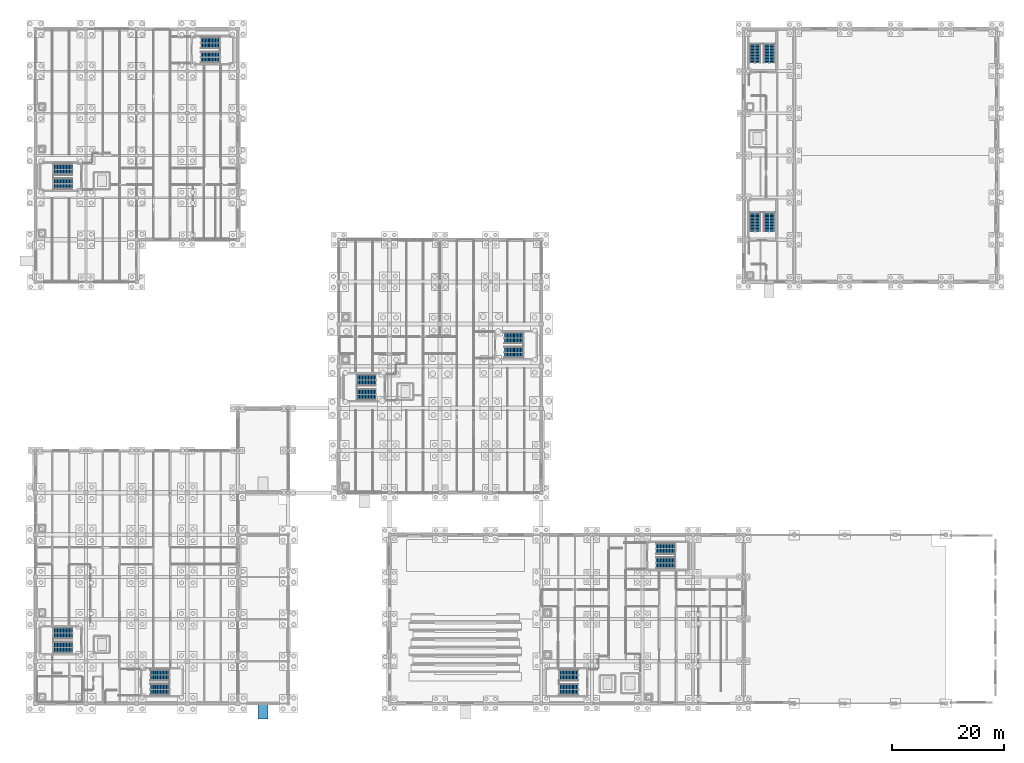
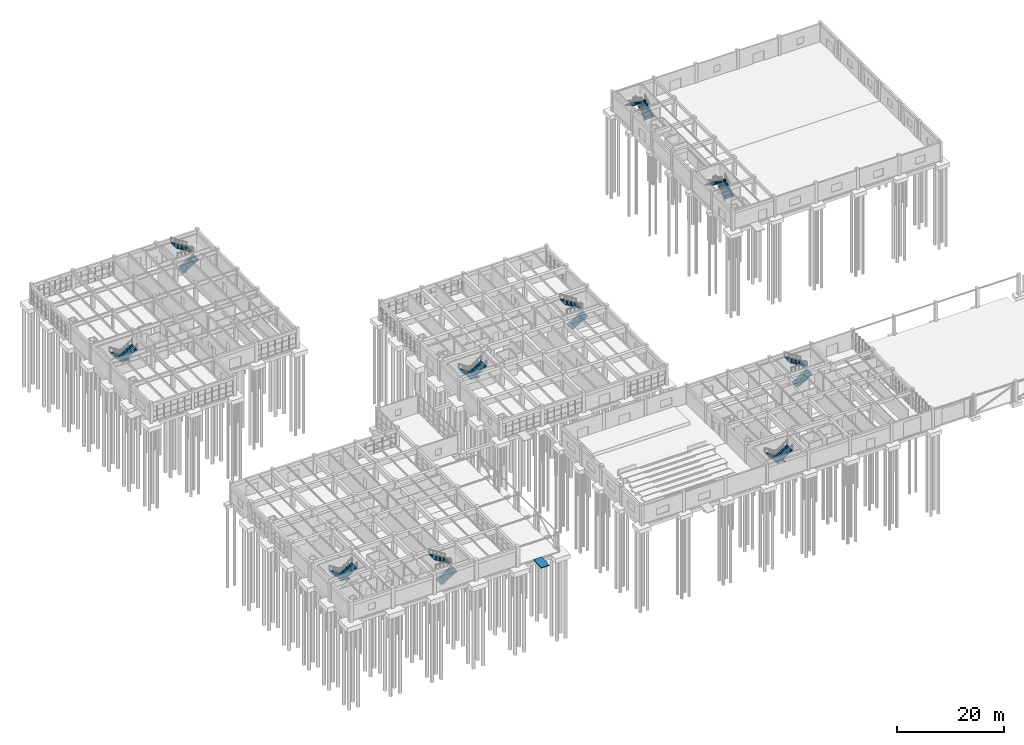
# One storey, part 89 of 93: 20 stair flights, 1 ramp flight, 11 elements without a shape of their own.
"""IFC4 building model written with IfcOpenShell, lengths in metres."""

from ifc_helpers import new_model, si_unit, direction, frame, origin, place, context, subcontext, project, spatial, polyline, outline, extrude, material, layer, layer_set, type_object, element, aggregate, save


model = new_model("IFC4")

# Units and contexts
model_context = context("Model", 3, precision=1e-05, world=origin(), true_north=direction((0.0, 1.0)))
body_context = subcontext(model_context, "Body", "Model", "MODEL_VIEW")
ifc_project = project(units=[si_unit("LENGTHUNIT", "METRE"), si_unit("AREAUNIT", "SQUARE_METRE"), si_unit("VOLUMEUNIT", "CUBIC_METRE"), si_unit("PLANEANGLEUNIT", "RADIAN"), si_unit("MASSUNIT", "GRAM", prefix="KILO")], contexts=[model_context])

# Site, building, storey
site_placement = place(None, origin())
site = spatial("IfcSite", under=ifc_project, at=site_placement, CompositionType="ELEMENT")
building_placement = place(site_placement, origin())
building = spatial("IfcBuilding", under=site, at=building_placement, Name="Marnridge Secondary College", CompositionType="ELEMENT")
storey_placement = place(building_placement, origin())
storey = spatial("IfcBuildingStorey", under=building, at=storey_placement, Name="L00", CompositionType="ELEMENT", Elevation=0.0)

# Stair, stair flights
ifc_material_1 = material(Name="Concrete C40/50 (AS 3600 N40, 40 MPa)", Category="concrete")
stair_type = type_object("IfcStairType", Name="STC1", PredefinedType="HALF_TURN_STAIR", material=ifc_material_1)
stair_1_placement = place(storey_placement, origin())
stair_1 = element("IfcStair", 1, at=stair_1_placement, inside=storey, type_object=stair_type, Name="Fire-isolated stair ST-01-L00", PredefinedType="HALF_TURN_STAIR")
ifc_material_2 = material(Name="Concrete C40/50 (AS 3600 N40, 40 MPa)", Category="concrete")
stair_flight_type = type_object("IfcStairFlightType", Name="SFC1", PredefinedType="STRAIGHT", material=ifc_material_2)
stair_flight_1_placement = place(storey_placement, frame((60.550048828125, 57.530029296875, 0.0), z_axis=(0.0, 0.0, 1.0), x_axis=(-1.0, 0.0, 0.0)))
stair_flight_1 = element("IfcStairFlight", 2, at=stair_flight_1_placement, type_object=stair_flight_type, Name="ST-01-L00 flight 1", NumberOfRisers=14, NumberOfTreads=13, PredefinedType="STRAIGHT", RiserHeight=0.160714286, TreadLength=0.26, context=body_context, shape_type="SweptSolid", body=[
    extrude(outline(polyline([(0.0, 0.0), (0.0, 0.16064453125), (0.260009765625, 0.16064453125), (0.260009765625, 0.321533203125), (0.52001953125, 0.321533203125), (0.52001953125, 0.482177734375), (0.780029296875, 0.482177734375), (0.780029296875, 0.642822265625), (1.0400390625, 0.642822265625), (1.0400390625, 0.803466796875), (1.300048828125, 0.803466796875), (1.300048828125, 0.96435546875), (1.56005859375, 0.96435546875), (1.56005859375, 1.125), (1.820068359375, 1.125), (1.820068359375, 1.28564453125), (2.080078125, 1.28564453125), (2.080078125, 1.446533203125), (2.340087890625, 1.446533203125), (2.340087890625, 1.607177734375), (2.60009765625, 1.607177734375), (2.60009765625, 1.767822265625), (2.860107421875, 1.767822265625), (2.860107421875, 1.928466796875), (3.1201171875, 1.928466796875), (3.1201171875, 2.08935546875), (3.3798828125, 2.08935546875), (3.3798828125, 2.25), (3.3798828125, 1.877685546875), (0.34228515625, 0.0), (0.0, 0.0)])), frame((0.0, 1.0, 0.0), z_axis=(0.0, -1.0, 0.0), x_axis=(1.0, 0.0, 0.0)), (0.0, 0.0, 1.0), 2.0),
])
stair_flight_2_placement = place(storey_placement, frame((57.169921875, 54.969970703125, 2.25), z_axis=(0.0, 0.0, 1.0), x_axis=(1.0, 0.0, 0.0)))
stair_flight_2 = element("IfcStairFlight", 3, at=stair_flight_2_placement, type_object=stair_flight_type, Name="ST-01-L00 flight 2", NumberOfRisers=14, NumberOfTreads=13, PredefinedType="STRAIGHT", RiserHeight=0.160714286, TreadLength=0.26, context=body_context, shape_type="SweptSolid", body=[
    extrude(outline(polyline([(0.0, 0.0), (0.0, 0.16064453125), (0.260009765625, 0.16064453125), (0.260009765625, 0.321533203125), (0.52001953125, 0.321533203125), (0.52001953125, 0.482177734375), (0.780029296875, 0.482177734375), (0.780029296875, 0.642822265625), (1.0400390625, 0.642822265625), (1.0400390625, 0.803466796875), (1.300048828125, 0.803466796875), (1.300048828125, 0.96435546875), (1.56005859375, 0.96435546875), (1.56005859375, 1.125), (1.820068359375, 1.125), (1.820068359375, 1.28564453125), (2.080078125, 1.28564453125), (2.080078125, 1.446533203125), (2.340087890625, 1.446533203125), (2.340087890625, 1.607177734375), (2.60009765625, 1.607177734375), (2.60009765625, 1.767822265625), (2.860107421875, 1.767822265625), (2.860107421875, 1.928466796875), (3.1201171875, 1.928466796875), (3.1201171875, 2.08935546875), (3.3798828125, 2.08935546875), (3.3798828125, 2.25), (3.3798828125, 1.877685546875), (0.34228515625, 0.0), (0.0, 0.0)])), frame((0.0, 1.0, 0.0), z_axis=(0.0, -1.0, 0.0), x_axis=(1.0, 0.0, 0.0)), (0.0, 0.0, 1.0), 2.0),
])
aggregate(stair_1, [stair_flight_1, stair_flight_2])

stair_2_placement = place(storey_placement, origin())
stair_2 = element("IfcStair", 4, at=stair_2_placement, inside=storey, type_object=stair_type, Name="Fire-isolated stair ST-02-L00", PredefinedType="HALF_TURN_STAIR")
stair_flight_3_placement = place(storey_placement, frame((83.449951171875, 62.469970703125, 0.0), z_axis=(0.0, 0.0, 1.0), x_axis=(1.0, 0.0, 0.0)))
stair_flight_3 = element("IfcStairFlight", 5, at=stair_flight_3_placement, type_object=stair_flight_type, Name="ST-02-L00 flight 1", NumberOfRisers=14, NumberOfTreads=13, PredefinedType="STRAIGHT", RiserHeight=0.160714286, TreadLength=0.26, context=body_context, shape_type="SweptSolid", body=[
    extrude(outline(polyline([(0.0, 0.0), (0.0, 0.16064453125), (0.260009765625, 0.16064453125), (0.260009765625, 0.321533203125), (0.52001953125, 0.321533203125), (0.52001953125, 0.482177734375), (0.780029296875, 0.482177734375), (0.780029296875, 0.642822265625), (1.0400390625, 0.642822265625), (1.0400390625, 0.803466796875), (1.300048828125, 0.803466796875), (1.300048828125, 0.96435546875), (1.56005859375, 0.96435546875), (1.56005859375, 1.125), (1.820068359375, 1.125), (1.820068359375, 1.28564453125), (2.080078125, 1.28564453125), (2.080078125, 1.446533203125), (2.340087890625, 1.446533203125), (2.340087890625, 1.607177734375), (2.60009765625, 1.607177734375), (2.60009765625, 1.767822265625), (2.860107421875, 1.767822265625), (2.860107421875, 1.928466796875), (3.1201171875, 1.928466796875), (3.1201171875, 2.08935546875), (3.3798828125, 2.08935546875), (3.3798828125, 2.25), (3.3798828125, 1.877685546875), (0.34228515625, 0.0), (0.0, 0.0)])), frame((0.0, 1.0, 0.0), z_axis=(0.0, -1.0, 0.0), x_axis=(1.0, 0.0, 0.0)), (0.0, 0.0, 1.0), 2.0),
])
stair_flight_4_placement = place(storey_placement, frame((86.830078125, 65.030029296875, 2.25), z_axis=(0.0, 0.0, 1.0), x_axis=(-1.0, 0.0, 0.0)))
stair_flight_4 = element("IfcStairFlight", 6, at=stair_flight_4_placement, type_object=stair_flight_type, Name="ST-02-L00 flight 2", NumberOfRisers=14, NumberOfTreads=13, PredefinedType="STRAIGHT", RiserHeight=0.160714286, TreadLength=0.26, context=body_context, shape_type="SweptSolid", body=[
    extrude(outline(polyline([(0.0, 0.0), (0.0, 0.16064453125), (0.260009765625, 0.16064453125), (0.260009765625, 0.321533203125), (0.52001953125, 0.321533203125), (0.52001953125, 0.482177734375), (0.780029296875, 0.482177734375), (0.780029296875, 0.642822265625), (1.0400390625, 0.642822265625), (1.0400390625, 0.803466796875), (1.300048828125, 0.803466796875), (1.300048828125, 0.96435546875), (1.56005859375, 0.96435546875), (1.56005859375, 1.125), (1.820068359375, 1.125), (1.820068359375, 1.28564453125), (2.080078125, 1.28564453125), (2.080078125, 1.446533203125), (2.340087890625, 1.446533203125), (2.340087890625, 1.607177734375), (2.60009765625, 1.607177734375), (2.60009765625, 1.767822265625), (2.860107421875, 1.767822265625), (2.860107421875, 1.928466796875), (3.1201171875, 1.928466796875), (3.1201171875, 2.08935546875), (3.3798828125, 2.08935546875), (3.3798828125, 2.25), (3.3798828125, 1.877685546875), (0.34228515625, 0.0), (0.0, 0.0)])), frame((0.0, 1.0, 0.0), z_axis=(0.0, -1.0, 0.0), x_axis=(1.0, 0.0, 0.0)), (0.0, 0.0, 1.0), 2.0),
])
aggregate(stair_2, [stair_flight_3, stair_flight_4])

stair_3_placement = place(storey_placement, origin())
stair_3 = element("IfcStair", 7, at=stair_3_placement, inside=storey, type_object=stair_type, Name="Fire-isolated stair ST-03-L00", PredefinedType="HALF_TURN_STAIR")
stair_flight_5_placement = place(storey_placement, frame((6.550048828125, 12.530029296875, 0.0), z_axis=(0.0, 0.0, 1.0), x_axis=(-1.0, 0.0, 0.0)))
stair_flight_5 = element("IfcStairFlight", 8, at=stair_flight_5_placement, type_object=stair_flight_type, Name="ST-03-L00 flight 1", NumberOfRisers=14, NumberOfTreads=13, PredefinedType="STRAIGHT", RiserHeight=0.160714286, TreadLength=0.26, context=body_context, shape_type="SweptSolid", body=[
    extrude(outline(polyline([(0.0, 0.0), (0.0, 0.16064453125), (0.260009765625, 0.16064453125), (0.260009765625, 0.321533203125), (0.52001953125, 0.321533203125), (0.52001953125, 0.482177734375), (0.780029296875, 0.482177734375), (0.780029296875, 0.642822265625), (1.0400390625, 0.642822265625), (1.0400390625, 0.803466796875), (1.300048828125, 0.803466796875), (1.300048828125, 0.96435546875), (1.56005859375, 0.96435546875), (1.56005859375, 1.125), (1.820068359375, 1.125), (1.820068359375, 1.28564453125), (2.080078125, 1.28564453125), (2.080078125, 1.446533203125), (2.340087890625, 1.446533203125), (2.340087890625, 1.607177734375), (2.60009765625, 1.607177734375), (2.60009765625, 1.767822265625), (2.860107421875, 1.767822265625), (2.860107421875, 1.928466796875), (3.1201171875, 1.928466796875), (3.1201171875, 2.08935546875), (3.3798828125, 2.08935546875), (3.3798828125, 2.25), (3.3798828125, 1.877685546875), (0.34228515625, 0.0), (0.0, 0.0)])), frame((0.0, 1.0, 0.0), z_axis=(0.0, -1.0, 0.0), x_axis=(1.0, 0.0, 0.0)), (0.0, 0.0, 1.0), 2.0),
])
stair_flight_6_placement = place(storey_placement, frame((3.169921875, 9.969970703125, 2.25), z_axis=(0.0, 0.0, 1.0), x_axis=(1.0, 0.0, 0.0)))
stair_flight_6 = element("IfcStairFlight", 9, at=stair_flight_6_placement, type_object=stair_flight_type, Name="ST-03-L00 flight 2", NumberOfRisers=14, NumberOfTreads=13, PredefinedType="STRAIGHT", RiserHeight=0.160714286, TreadLength=0.26, context=body_context, shape_type="SweptSolid", body=[
    extrude(outline(polyline([(0.0, 0.0), (0.0, 0.16064453125), (0.260009765625, 0.16064453125), (0.260009765625, 0.321533203125), (0.52001953125, 0.321533203125), (0.52001953125, 0.482177734375), (0.780029296875, 0.482177734375), (0.780029296875, 0.642822265625), (1.0400390625, 0.642822265625), (1.0400390625, 0.803466796875), (1.300048828125, 0.803466796875), (1.300048828125, 0.96435546875), (1.56005859375, 0.96435546875), (1.56005859375, 1.125), (1.820068359375, 1.125), (1.820068359375, 1.28564453125), (2.080078125, 1.28564453125), (2.080078125, 1.446533203125), (2.340087890625, 1.446533203125), (2.340087890625, 1.607177734375), (2.60009765625, 1.607177734375), (2.60009765625, 1.767822265625), (2.860107421875, 1.767822265625), (2.860107421875, 1.928466796875), (3.1201171875, 1.928466796875), (3.1201171875, 2.08935546875), (3.3798828125, 2.08935546875), (3.3798828125, 2.25), (3.3798828125, 1.877685546875), (0.34228515625, 0.0), (0.0, 0.0)])), frame((0.0, 1.0, 0.0), z_axis=(0.0, -1.0, 0.0), x_axis=(1.0, 0.0, 0.0)), (0.0, 0.0, 1.0), 2.0),
])
aggregate(stair_3, [stair_flight_5, stair_flight_6])

stair_4_placement = place(storey_placement, origin())
stair_4 = element("IfcStair", 10, at=stair_4_placement, inside=storey, type_object=stair_type, Name="Fire-isolated stair ST-04-L00", PredefinedType="HALF_TURN_STAIR")
stair_flight_7_placement = place(storey_placement, frame((20.449951171875, 2.469970703125, 0.0), z_axis=(0.0, 0.0, 1.0), x_axis=(1.0, 0.0, 0.0)))
stair_flight_7 = element("IfcStairFlight", 11, at=stair_flight_7_placement, type_object=stair_flight_type, Name="ST-04-L00 flight 1", NumberOfRisers=14, NumberOfTreads=13, PredefinedType="STRAIGHT", RiserHeight=0.160714286, TreadLength=0.26, context=body_context, shape_type="SweptSolid", body=[
    extrude(outline(polyline([(0.0, 0.0), (0.0, 0.16064453125), (0.260009765625, 0.16064453125), (0.260009765625, 0.321533203125), (0.52001953125, 0.321533203125), (0.52001953125, 0.482177734375), (0.780029296875, 0.482177734375), (0.780029296875, 0.642822265625), (1.0400390625, 0.642822265625), (1.0400390625, 0.803466796875), (1.300048828125, 0.803466796875), (1.300048828125, 0.96435546875), (1.56005859375, 0.96435546875), (1.56005859375, 1.125), (1.820068359375, 1.125), (1.820068359375, 1.28564453125), (2.080078125, 1.28564453125), (2.080078125, 1.446533203125), (2.340087890625, 1.446533203125), (2.340087890625, 1.607177734375), (2.60009765625, 1.607177734375), (2.60009765625, 1.767822265625), (2.860107421875, 1.767822265625), (2.860107421875, 1.928466796875), (3.1201171875, 1.928466796875), (3.1201171875, 2.08935546875), (3.3798828125, 2.08935546875), (3.3798828125, 2.25), (3.3798828125, 1.877685546875), (0.34228515625, 0.0), (0.0, 0.0)])), frame((0.0, 1.0, 0.0), z_axis=(0.0, -1.0, 0.0), x_axis=(1.0, 0.0, 0.0)), (0.0, 0.0, 1.0), 2.0),
])
stair_flight_8_placement = place(storey_placement, frame((23.830078125, 5.030029296875, 2.25), z_axis=(0.0, 0.0, 1.0), x_axis=(-1.0, 0.0, 0.0)))
stair_flight_8 = element("IfcStairFlight", 12, at=stair_flight_8_placement, type_object=stair_flight_type, Name="ST-04-L00 flight 2", NumberOfRisers=14, NumberOfTreads=13, PredefinedType="STRAIGHT", RiserHeight=0.160714286, TreadLength=0.26, context=body_context, shape_type="SweptSolid", body=[
    extrude(outline(polyline([(0.0, 0.0), (0.0, 0.16064453125), (0.260009765625, 0.16064453125), (0.260009765625, 0.321533203125), (0.52001953125, 0.321533203125), (0.52001953125, 0.482177734375), (0.780029296875, 0.482177734375), (0.780029296875, 0.642822265625), (1.0400390625, 0.642822265625), (1.0400390625, 0.803466796875), (1.300048828125, 0.803466796875), (1.300048828125, 0.96435546875), (1.56005859375, 0.96435546875), (1.56005859375, 1.125), (1.820068359375, 1.125), (1.820068359375, 1.28564453125), (2.080078125, 1.28564453125), (2.080078125, 1.446533203125), (2.340087890625, 1.446533203125), (2.340087890625, 1.607177734375), (2.60009765625, 1.607177734375), (2.60009765625, 1.767822265625), (2.860107421875, 1.767822265625), (2.860107421875, 1.928466796875), (3.1201171875, 1.928466796875), (3.1201171875, 2.08935546875), (3.3798828125, 2.08935546875), (3.3798828125, 2.25), (3.3798828125, 1.877685546875), (0.34228515625, 0.0), (0.0, 0.0)])), frame((0.0, 1.0, 0.0), z_axis=(0.0, -1.0, 0.0), x_axis=(1.0, 0.0, 0.0)), (0.0, 0.0, 1.0), 2.0),
])
aggregate(stair_4, [stair_flight_7, stair_flight_8])

stair_5_placement = place(storey_placement, origin())
stair_5 = element("IfcStair", 13, at=stair_5_placement, inside=storey, type_object=stair_type, Name="Fire-isolated stair ST-05-L00", PredefinedType="HALF_TURN_STAIR")
stair_flight_9_placement = place(storey_placement, frame((6.550048828125, 95.030029296875, 0.0), z_axis=(0.0, 0.0, 1.0), x_axis=(-1.0, 0.0, 0.0)))
stair_flight_9 = element("IfcStairFlight", 14, at=stair_flight_9_placement, type_object=stair_flight_type, Name="ST-05-L00 flight 1", NumberOfRisers=14, NumberOfTreads=13, PredefinedType="STRAIGHT", RiserHeight=0.160714286, TreadLength=0.26, context=body_context, shape_type="SweptSolid", body=[
    extrude(outline(polyline([(0.0, 0.0), (0.0, 0.16064453125), (0.260009765625, 0.16064453125), (0.260009765625, 0.321533203125), (0.52001953125, 0.321533203125), (0.52001953125, 0.482177734375), (0.780029296875, 0.482177734375), (0.780029296875, 0.642822265625), (1.0400390625, 0.642822265625), (1.0400390625, 0.803466796875), (1.300048828125, 0.803466796875), (1.300048828125, 0.96435546875), (1.56005859375, 0.96435546875), (1.56005859375, 1.125), (1.820068359375, 1.125), (1.820068359375, 1.28564453125), (2.080078125, 1.28564453125), (2.080078125, 1.446533203125), (2.340087890625, 1.446533203125), (2.340087890625, 1.607177734375), (2.60009765625, 1.607177734375), (2.60009765625, 1.767822265625), (2.860107421875, 1.767822265625), (2.860107421875, 1.928466796875), (3.1201171875, 1.928466796875), (3.1201171875, 2.08935546875), (3.3798828125, 2.08935546875), (3.3798828125, 2.25), (3.3798828125, 1.877685546875), (0.34228515625, 0.0), (0.0, 0.0)])), frame((0.0, 1.0, 0.0), z_axis=(0.0, -1.0, 0.0), x_axis=(1.0, 0.0, 0.0)), (0.0, 0.0, 1.0), 2.0),
])
stair_flight_10_placement = place(storey_placement, frame((3.169921875, 92.469970703125, 2.25), z_axis=(0.0, 0.0, 1.0), x_axis=(1.0, 0.0, 0.0)))
stair_flight_10 = element("IfcStairFlight", 15, at=stair_flight_10_placement, type_object=stair_flight_type, Name="ST-05-L00 flight 2", NumberOfRisers=14, NumberOfTreads=13, PredefinedType="STRAIGHT", RiserHeight=0.160714286, TreadLength=0.26, context=body_context, shape_type="SweptSolid", body=[
    extrude(outline(polyline([(0.0, 0.0), (0.0, 0.16064453125), (0.260009765625, 0.16064453125), (0.260009765625, 0.321533203125), (0.52001953125, 0.321533203125), (0.52001953125, 0.482177734375), (0.780029296875, 0.482177734375), (0.780029296875, 0.642822265625), (1.0400390625, 0.642822265625), (1.0400390625, 0.803466796875), (1.300048828125, 0.803466796875), (1.300048828125, 0.96435546875), (1.56005859375, 0.96435546875), (1.56005859375, 1.125), (1.820068359375, 1.125), (1.820068359375, 1.28564453125), (2.080078125, 1.28564453125), (2.080078125, 1.446533203125), (2.340087890625, 1.446533203125), (2.340087890625, 1.607177734375), (2.60009765625, 1.607177734375), (2.60009765625, 1.767822265625), (2.860107421875, 1.767822265625), (2.860107421875, 1.928466796875), (3.1201171875, 1.928466796875), (3.1201171875, 2.08935546875), (3.3798828125, 2.08935546875), (3.3798828125, 2.25), (3.3798828125, 1.877685546875), (0.34228515625, 0.0), (0.0, 0.0)])), frame((0.0, 1.0, 0.0), z_axis=(0.0, -1.0, 0.0), x_axis=(1.0, 0.0, 0.0)), (0.0, 0.0, 1.0), 2.0),
])
aggregate(stair_5, [stair_flight_9, stair_flight_10])

stair_6_placement = place(storey_placement, origin())
stair_6 = element("IfcStair", 16, at=stair_6_placement, inside=storey, type_object=stair_type, Name="Fire-isolated stair ST-06-L00", PredefinedType="HALF_TURN_STAIR")
stair_flight_11_placement = place(storey_placement, frame((29.449951171875, 114.969970703125, 0.0), z_axis=(0.0, 0.0, 1.0), x_axis=(1.0, 0.0, 0.0)))
stair_flight_11 = element("IfcStairFlight", 17, at=stair_flight_11_placement, type_object=stair_flight_type, Name="ST-06-L00 flight 1", NumberOfRisers=14, NumberOfTreads=13, PredefinedType="STRAIGHT", RiserHeight=0.160714286, TreadLength=0.26, context=body_context, shape_type="SweptSolid", body=[
    extrude(outline(polyline([(0.0, 0.0), (0.0, 0.16064453125), (0.260009765625, 0.16064453125), (0.260009765625, 0.321533203125), (0.52001953125, 0.321533203125), (0.52001953125, 0.482177734375), (0.780029296875, 0.482177734375), (0.780029296875, 0.642822265625), (1.0400390625, 0.642822265625), (1.0400390625, 0.803466796875), (1.300048828125, 0.803466796875), (1.300048828125, 0.96435546875), (1.56005859375, 0.96435546875), (1.56005859375, 1.125), (1.820068359375, 1.125), (1.820068359375, 1.28564453125), (2.080078125, 1.28564453125), (2.080078125, 1.446533203125), (2.340087890625, 1.446533203125), (2.340087890625, 1.607177734375), (2.60009765625, 1.607177734375), (2.60009765625, 1.767822265625), (2.860107421875, 1.767822265625), (2.860107421875, 1.928466796875), (3.1201171875, 1.928466796875), (3.1201171875, 2.08935546875), (3.3798828125, 2.08935546875), (3.3798828125, 2.25), (3.3798828125, 1.877685546875), (0.34228515625, 0.0), (0.0, 0.0)])), frame((0.0, 1.0, 0.0), z_axis=(0.0, -1.0, 0.0), x_axis=(1.0, 0.0, 0.0)), (0.0, 0.0, 1.0), 2.0),
])
stair_flight_12_placement = place(storey_placement, frame((32.830078125, 117.530029296875, 2.25), z_axis=(0.0, 0.0, 1.0), x_axis=(-1.0, 0.0, 0.0)))
stair_flight_12 = element("IfcStairFlight", 18, at=stair_flight_12_placement, type_object=stair_flight_type, Name="ST-06-L00 flight 2", NumberOfRisers=14, NumberOfTreads=13, PredefinedType="STRAIGHT", RiserHeight=0.160714286, TreadLength=0.26, context=body_context, shape_type="SweptSolid", body=[
    extrude(outline(polyline([(0.0, 0.0), (0.0, 0.16064453125), (0.260009765625, 0.16064453125), (0.260009765625, 0.321533203125), (0.52001953125, 0.321533203125), (0.52001953125, 0.482177734375), (0.780029296875, 0.482177734375), (0.780029296875, 0.642822265625), (1.0400390625, 0.642822265625), (1.0400390625, 0.803466796875), (1.300048828125, 0.803466796875), (1.300048828125, 0.96435546875), (1.56005859375, 0.96435546875), (1.56005859375, 1.125), (1.820068359375, 1.125), (1.820068359375, 1.28564453125), (2.080078125, 1.28564453125), (2.080078125, 1.446533203125), (2.340087890625, 1.446533203125), (2.340087890625, 1.607177734375), (2.60009765625, 1.607177734375), (2.60009765625, 1.767822265625), (2.860107421875, 1.767822265625), (2.860107421875, 1.928466796875), (3.1201171875, 1.928466796875), (3.1201171875, 2.08935546875), (3.3798828125, 2.08935546875), (3.3798828125, 2.25), (3.3798828125, 1.877685546875), (0.34228515625, 0.0), (0.0, 0.0)])), frame((0.0, 1.0, 0.0), z_axis=(0.0, -1.0, 0.0), x_axis=(1.0, 0.0, 0.0)), (0.0, 0.0, 1.0), 2.0),
])
aggregate(stair_6, [stair_flight_11, stair_flight_12])

stair_7_placement = place(storey_placement, origin())
stair_7 = element("IfcStair", 19, at=stair_7_placement, inside=storey, type_object=stair_type, Name="Fire-isolated stair ST-07-L00", PredefinedType="HALF_TURN_STAIR")
stair_flight_13_placement = place(storey_placement, frame((96.550048828125, 5.030029296875, 0.0), z_axis=(0.0, 0.0, 1.0), x_axis=(-1.0, 0.0, 0.0)))
stair_flight_13 = element("IfcStairFlight", 20, at=stair_flight_13_placement, type_object=stair_flight_type, Name="ST-07-L00 flight 1", NumberOfRisers=14, NumberOfTreads=13, PredefinedType="STRAIGHT", RiserHeight=0.160714286, TreadLength=0.26, context=body_context, shape_type="SweptSolid", body=[
    extrude(outline(polyline([(0.0, 0.0), (0.0, 0.16064453125), (0.260009765625, 0.16064453125), (0.260009765625, 0.321533203125), (0.52001953125, 0.321533203125), (0.52001953125, 0.482177734375), (0.780029296875, 0.482177734375), (0.780029296875, 0.642822265625), (1.0400390625, 0.642822265625), (1.0400390625, 0.803466796875), (1.300048828125, 0.803466796875), (1.300048828125, 0.96435546875), (1.56005859375, 0.96435546875), (1.56005859375, 1.125), (1.820068359375, 1.125), (1.820068359375, 1.28564453125), (2.080078125, 1.28564453125), (2.080078125, 1.446533203125), (2.340087890625, 1.446533203125), (2.340087890625, 1.607177734375), (2.60009765625, 1.607177734375), (2.60009765625, 1.767822265625), (2.860107421875, 1.767822265625), (2.860107421875, 1.928466796875), (3.1201171875, 1.928466796875), (3.1201171875, 2.08935546875), (3.3798828125, 2.08935546875), (3.3798828125, 2.25), (3.3798828125, 1.877685546875), (0.34228515625, 0.0), (0.0, 0.0)])), frame((0.0, 1.0, 0.0), z_axis=(0.0, -1.0, 0.0), x_axis=(1.0, 0.0, 0.0)), (0.0, 0.0, 1.0), 2.0),
])
stair_flight_14_placement = place(storey_placement, frame((93.169921875, 2.469970703125, 2.25), z_axis=(0.0, 0.0, 1.0), x_axis=(1.0, 0.0, 0.0)))
stair_flight_14 = element("IfcStairFlight", 21, at=stair_flight_14_placement, type_object=stair_flight_type, Name="ST-07-L00 flight 2", NumberOfRisers=14, NumberOfTreads=13, PredefinedType="STRAIGHT", RiserHeight=0.160714286, TreadLength=0.26, context=body_context, shape_type="SweptSolid", body=[
    extrude(outline(polyline([(0.0, 0.0), (0.0, 0.16064453125), (0.260009765625, 0.16064453125), (0.260009765625, 0.321533203125), (0.52001953125, 0.321533203125), (0.52001953125, 0.482177734375), (0.780029296875, 0.482177734375), (0.780029296875, 0.642822265625), (1.0400390625, 0.642822265625), (1.0400390625, 0.803466796875), (1.300048828125, 0.803466796875), (1.300048828125, 0.96435546875), (1.56005859375, 0.96435546875), (1.56005859375, 1.125), (1.820068359375, 1.125), (1.820068359375, 1.28564453125), (2.080078125, 1.28564453125), (2.080078125, 1.446533203125), (2.340087890625, 1.446533203125), (2.340087890625, 1.607177734375), (2.60009765625, 1.607177734375), (2.60009765625, 1.767822265625), (2.860107421875, 1.767822265625), (2.860107421875, 1.928466796875), (3.1201171875, 1.928466796875), (3.1201171875, 2.08935546875), (3.3798828125, 2.08935546875), (3.3798828125, 2.25), (3.3798828125, 1.877685546875), (0.34228515625, 0.0), (0.0, 0.0)])), frame((0.0, 1.0, 0.0), z_axis=(0.0, -1.0, 0.0), x_axis=(1.0, 0.0, 0.0)), (0.0, 0.0, 1.0), 2.0),
])
aggregate(stair_7, [stair_flight_13, stair_flight_14])

stair_8_placement = place(storey_placement, origin())
stair_8 = element("IfcStair", 22, at=stair_8_placement, inside=storey, type_object=stair_type, Name="Fire-isolated stair ST-08-L00", PredefinedType="HALF_TURN_STAIR")
stair_flight_15_placement = place(storey_placement, frame((110.449951171875, 24.969970703125, 0.0), z_axis=(0.0, 0.0, 1.0), x_axis=(1.0, 0.0, 0.0)))
stair_flight_15 = element("IfcStairFlight", 23, at=stair_flight_15_placement, type_object=stair_flight_type, Name="ST-08-L00 flight 1", NumberOfRisers=14, NumberOfTreads=13, PredefinedType="STRAIGHT", RiserHeight=0.160714286, TreadLength=0.26, context=body_context, shape_type="SweptSolid", body=[
    extrude(outline(polyline([(0.0, 0.0), (0.0, 0.16064453125), (0.260009765625, 0.16064453125), (0.260009765625, 0.321533203125), (0.52001953125, 0.321533203125), (0.52001953125, 0.482177734375), (0.780029296875, 0.482177734375), (0.780029296875, 0.642822265625), (1.0400390625, 0.642822265625), (1.0400390625, 0.803466796875), (1.300048828125, 0.803466796875), (1.300048828125, 0.96435546875), (1.56005859375, 0.96435546875), (1.56005859375, 1.125), (1.820068359375, 1.125), (1.820068359375, 1.28564453125), (2.080078125, 1.28564453125), (2.080078125, 1.446533203125), (2.340087890625, 1.446533203125), (2.340087890625, 1.607177734375), (2.60009765625, 1.607177734375), (2.60009765625, 1.767822265625), (2.860107421875, 1.767822265625), (2.860107421875, 1.928466796875), (3.1201171875, 1.928466796875), (3.1201171875, 2.08935546875), (3.3798828125, 2.08935546875), (3.3798828125, 2.25), (3.3798828125, 1.877685546875), (0.34228515625, 0.0), (0.0, 0.0)])), frame((0.0, 1.0, 0.0), z_axis=(0.0, -1.0, 0.0), x_axis=(1.0, 0.0, 0.0)), (0.0, 0.0, 1.0), 2.0),
])
stair_flight_16_placement = place(storey_placement, frame((113.830078125, 27.530029296875, 2.25), z_axis=(0.0, 0.0, 1.0), x_axis=(-1.0, 0.0, 0.0)))
stair_flight_16 = element("IfcStairFlight", 24, at=stair_flight_16_placement, type_object=stair_flight_type, Name="ST-08-L00 flight 2", NumberOfRisers=14, NumberOfTreads=13, PredefinedType="STRAIGHT", RiserHeight=0.160714286, TreadLength=0.26, context=body_context, shape_type="SweptSolid", body=[
    extrude(outline(polyline([(0.0, 0.0), (0.0, 0.16064453125), (0.260009765625, 0.16064453125), (0.260009765625, 0.321533203125), (0.52001953125, 0.321533203125), (0.52001953125, 0.482177734375), (0.780029296875, 0.482177734375), (0.780029296875, 0.642822265625), (1.0400390625, 0.642822265625), (1.0400390625, 0.803466796875), (1.300048828125, 0.803466796875), (1.300048828125, 0.96435546875), (1.56005859375, 0.96435546875), (1.56005859375, 1.125), (1.820068359375, 1.125), (1.820068359375, 1.28564453125), (2.080078125, 1.28564453125), (2.080078125, 1.446533203125), (2.340087890625, 1.446533203125), (2.340087890625, 1.607177734375), (2.60009765625, 1.607177734375), (2.60009765625, 1.767822265625), (2.860107421875, 1.767822265625), (2.860107421875, 1.928466796875), (3.1201171875, 1.928466796875), (3.1201171875, 2.08935546875), (3.3798828125, 2.08935546875), (3.3798828125, 2.25), (3.3798828125, 1.877685546875), (0.34228515625, 0.0), (0.0, 0.0)])), frame((0.0, 1.0, 0.0), z_axis=(0.0, -1.0, 0.0), x_axis=(1.0, 0.0, 0.0)), (0.0, 0.0, 1.0), 2.0),
])
aggregate(stair_8, [stair_flight_15, stair_flight_16])

stair_9_placement = place(storey_placement, origin())
stair_9 = element("IfcStair", 25, at=stair_9_placement, inside=storey, type_object=stair_type, Name="Fire-isolated stair ST-09-L00", PredefinedType="HALF_TURN_STAIR")
stair_flight_17_placement = place(storey_placement, frame((130.580078125, 84.0, 0.0), z_axis=(0.0, 0.0, 1.0), x_axis=(0.0, 1.0, 0.0)))
stair_flight_17 = element("IfcStairFlight", 26, at=stair_flight_17_placement, type_object=stair_flight_type, Name="ST-09-L00 flight 1", NumberOfRisers=14, NumberOfTreads=13, PredefinedType="STRAIGHT", RiserHeight=0.160714286, TreadLength=0.26, context=body_context, shape_type="SweptSolid", body=[
    extrude(outline(polyline([(0.0, 0.0), (0.0, 0.16064453125), (0.260009765625, 0.16064453125), (0.260009765625, 0.321533203125), (0.52001953125, 0.321533203125), (0.52001953125, 0.482177734375), (0.780029296875, 0.482177734375), (0.780029296875, 0.642822265625), (1.0400390625, 0.642822265625), (1.0400390625, 0.803466796875), (1.300048828125, 0.803466796875), (1.300048828125, 0.96435546875), (1.56005859375, 0.96435546875), (1.56005859375, 1.125), (1.820068359375, 1.125), (1.820068359375, 1.28564453125), (2.080078125, 1.28564453125), (2.080078125, 1.446533203125), (2.340087890625, 1.446533203125), (2.340087890625, 1.607177734375), (2.60009765625, 1.607177734375), (2.60009765625, 1.767822265625), (2.860107421875, 1.767822265625), (2.860107421875, 1.928466796875), (3.1201171875, 1.928466796875), (3.1201171875, 2.08935546875), (3.3798828125, 2.08935546875), (3.3798828125, 2.25), (3.3798828125, 1.877685546875), (0.34228515625, 0.0), (0.0, 0.0)])), frame((0.0, 1.0, 0.0), z_axis=(0.0, -1.0, 0.0), x_axis=(1.0, 0.0, 0.0)), (0.0, 0.0, 1.0), 2.0),
])
stair_flight_18_placement = place(storey_placement, frame((128.02001953125, 87.3798828125, 2.25), z_axis=(0.0, 0.0, 1.0), x_axis=(0.0, -1.0, 0.0)))
stair_flight_18 = element("IfcStairFlight", 27, at=stair_flight_18_placement, type_object=stair_flight_type, Name="ST-09-L00 flight 2", NumberOfRisers=14, NumberOfTreads=13, PredefinedType="STRAIGHT", RiserHeight=0.160714286, TreadLength=0.26, context=body_context, shape_type="SweptSolid", body=[
    extrude(outline(polyline([(0.0, 0.0), (0.0, 0.16064453125), (0.260009765625, 0.16064453125), (0.260009765625, 0.321533203125), (0.52001953125, 0.321533203125), (0.52001953125, 0.482177734375), (0.780029296875, 0.482177734375), (0.780029296875, 0.642822265625), (1.0400390625, 0.642822265625), (1.0400390625, 0.803466796875), (1.300048828125, 0.803466796875), (1.300048828125, 0.96435546875), (1.56005859375, 0.96435546875), (1.56005859375, 1.125), (1.820068359375, 1.125), (1.820068359375, 1.28564453125), (2.080078125, 1.28564453125), (2.080078125, 1.446533203125), (2.340087890625, 1.446533203125), (2.340087890625, 1.607177734375), (2.60009765625, 1.607177734375), (2.60009765625, 1.767822265625), (2.860107421875, 1.767822265625), (2.860107421875, 1.928466796875), (3.1201171875, 1.928466796875), (3.1201171875, 2.08935546875), (3.3798828125, 2.08935546875), (3.3798828125, 2.25), (3.3798828125, 1.877685546875), (0.34228515625, 0.0), (0.0, 0.0)])), frame((0.0, 1.0, 0.0), z_axis=(0.0, -1.0, 0.0), x_axis=(1.0, 0.0, 0.0)), (0.0, 0.0, 1.0), 2.0),
])
aggregate(stair_9, [stair_flight_17, stair_flight_18])

stair_10_placement = place(storey_placement, origin())
stair_10 = element("IfcStair", 28, at=stair_10_placement, inside=storey, type_object=stair_type, Name="Fire-isolated stair ST-10-L00", PredefinedType="HALF_TURN_STAIR")
stair_flight_19_placement = place(storey_placement, frame((130.580078125, 114.0, 0.0), z_axis=(0.0, 0.0, 1.0), x_axis=(0.0, 1.0, 0.0)))
stair_flight_19 = element("IfcStairFlight", 29, at=stair_flight_19_placement, type_object=stair_flight_type, Name="ST-10-L00 flight 1", NumberOfRisers=14, NumberOfTreads=13, PredefinedType="STRAIGHT", RiserHeight=0.160714286, TreadLength=0.26, context=body_context, shape_type="SweptSolid", body=[
    extrude(outline(polyline([(0.0, 0.0), (0.0, 0.16064453125), (0.260009765625, 0.16064453125), (0.260009765625, 0.321533203125), (0.52001953125, 0.321533203125), (0.52001953125, 0.482177734375), (0.780029296875, 0.482177734375), (0.780029296875, 0.642822265625), (1.0400390625, 0.642822265625), (1.0400390625, 0.803466796875), (1.300048828125, 0.803466796875), (1.300048828125, 0.96435546875), (1.56005859375, 0.96435546875), (1.56005859375, 1.125), (1.820068359375, 1.125), (1.820068359375, 1.28564453125), (2.080078125, 1.28564453125), (2.080078125, 1.446533203125), (2.340087890625, 1.446533203125), (2.340087890625, 1.607177734375), (2.60009765625, 1.607177734375), (2.60009765625, 1.767822265625), (2.860107421875, 1.767822265625), (2.860107421875, 1.928466796875), (3.1201171875, 1.928466796875), (3.1201171875, 2.08935546875), (3.3798828125, 2.08935546875), (3.3798828125, 2.25), (3.3798828125, 1.877685546875), (0.34228515625, 0.0), (0.0, 0.0)])), frame((0.0, 1.0, 0.0), z_axis=(0.0, -1.0, 0.0), x_axis=(1.0, 0.0, 0.0)), (0.0, 0.0, 1.0), 2.0),
])
stair_flight_20_placement = place(storey_placement, frame((128.02001953125, 117.3798828125, 2.25), z_axis=(0.0, 0.0, 1.0), x_axis=(0.0, -1.0, 0.0)))
stair_flight_20 = element("IfcStairFlight", 30, at=stair_flight_20_placement, type_object=stair_flight_type, Name="ST-10-L00 flight 2", NumberOfRisers=14, NumberOfTreads=13, PredefinedType="STRAIGHT", RiserHeight=0.160714286, TreadLength=0.26, context=body_context, shape_type="SweptSolid", body=[
    extrude(outline(polyline([(0.0, 0.0), (0.0, 0.16064453125), (0.260009765625, 0.16064453125), (0.260009765625, 0.321533203125), (0.52001953125, 0.321533203125), (0.52001953125, 0.482177734375), (0.780029296875, 0.482177734375), (0.780029296875, 0.642822265625), (1.0400390625, 0.642822265625), (1.0400390625, 0.803466796875), (1.300048828125, 0.803466796875), (1.300048828125, 0.96435546875), (1.56005859375, 0.96435546875), (1.56005859375, 1.125), (1.820068359375, 1.125), (1.820068359375, 1.28564453125), (2.080078125, 1.28564453125), (2.080078125, 1.446533203125), (2.340087890625, 1.446533203125), (2.340087890625, 1.607177734375), (2.60009765625, 1.607177734375), (2.60009765625, 1.767822265625), (2.860107421875, 1.767822265625), (2.860107421875, 1.928466796875), (3.1201171875, 1.928466796875), (3.1201171875, 2.08935546875), (3.3798828125, 2.08935546875), (3.3798828125, 2.25), (3.3798828125, 1.877685546875), (0.34228515625, 0.0), (0.0, 0.0)])), frame((0.0, 1.0, 0.0), z_axis=(0.0, -1.0, 0.0), x_axis=(1.0, 0.0, 0.0)), (0.0, 0.0, 1.0), 2.0),
])
aggregate(stair_10, [stair_flight_19, stair_flight_20])

# Ramp, ramp flight
ifc_material_3 = material(Name="Concrete C40/50 (AS 3600 N40, 40 MPa)", Category="concrete")
ramp_type = type_object("IfcRampType", Name="RMP-ACC-1800", PredefinedType="STRAIGHT_RUN_RAMP", material=ifc_material_3)
ramp_placement = place(storey_placement, origin())
ramp = element("IfcRamp", 31, at=ramp_placement, inside=storey, type_object=ramp_type, Name="Accessible entry ramp RMP-01", PredefinedType="STRAIGHT_RUN_RAMP")
ifc_material_4 = material(Name="Concrete C40/50 (AS 3600 N40, 40 MPa)", Category="concrete")
ifc_layer = layer(ifc_material_4, 0.199951171875)
ifc_layer_set = layer_set([ifc_layer], Name="RMF-ACC-1800")
ramp_flight_type = type_object("IfcRampFlightType", Name="RMF-ACC-1800", PredefinedType="STRAIGHT", material=ifc_layer_set)
ramp_flight_placement = place(storey_placement, frame((39.60009765625, -2.75, -0.199951171875), z_axis=(0.0, -0.071228508128, 0.997460024076), x_axis=(1.0, 0.0, 0.0)))
ramp_flight = element("IfcRampFlight", 32, at=ramp_flight_placement, type_object=ramp_flight_type, Name="Accessible ramp flight RMP-01-F1", PredefinedType="STRAIGHT", context=body_context, shape_type="SweptSolid", body=[
    extrude(outline(polyline([(0.0, 0.0), (1.7998046875, 0.0), (1.7998046875, 2.807178995186871), (0.0, 2.807178995186871), (0.0, 0.0)])), origin(), (0.0, 0.0, -1.0), 0.199951171875),
])
aggregate(ramp, [ramp_flight])

save(model, "model.ifc")
